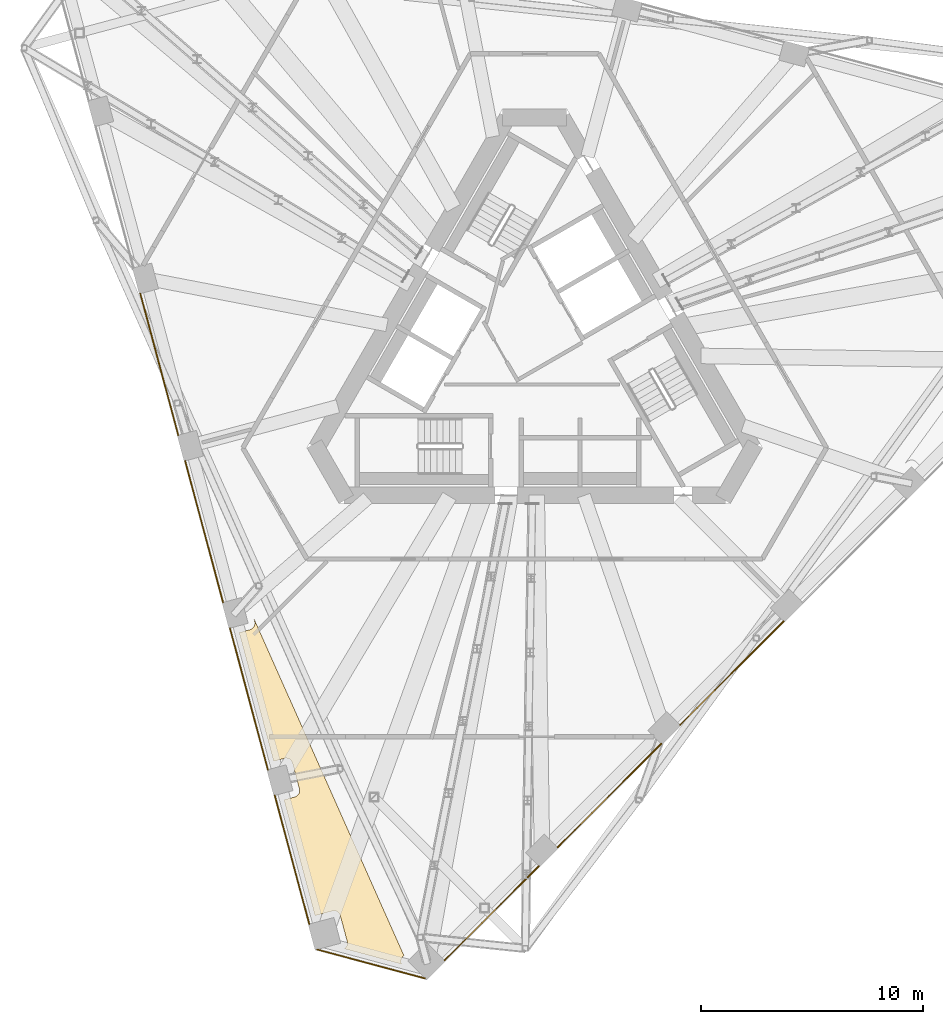
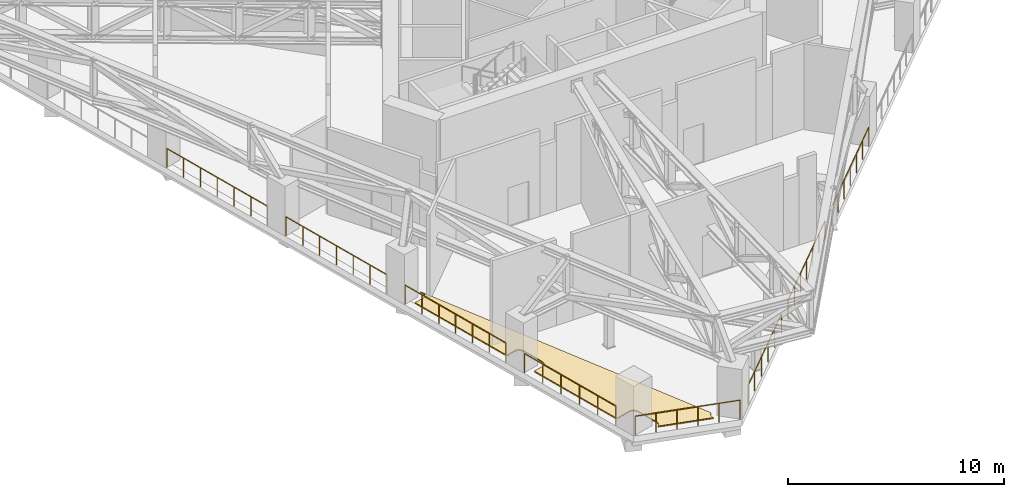
# One storey, part 18 of 22: 8 railings, 2 coverings.
"""IFC4 building model written with IfcOpenShell, lengths in metres."""

from ifc_helpers import new_model, si_unit, direction, frame, origin, origin_2d, place, context, subcontext, project, spatial, polyline, circle, outline, extrude, material, layer, layer_set, type_object, element, save


model = new_model("IFC4")

# Units and contexts
model_context = context("Model", 3, precision=1e-05, world=origin(), true_north=direction((0.0, 1.0)))
body_context = subcontext(model_context, "Body", "Model", "MODEL_VIEW")
ifc_project = project(units=[si_unit("LENGTHUNIT", "METRE"), si_unit("AREAUNIT", "SQUARE_METRE"), si_unit("VOLUMEUNIT", "CUBIC_METRE"), si_unit("PLANEANGLEUNIT", "RADIAN"), si_unit("MASSUNIT", "GRAM", prefix="KILO")], contexts=[model_context])

# Site, building, storey
site_placement = place(None, origin())
site = spatial("IfcSite", under=ifc_project, at=site_placement, CompositionType="ELEMENT")
building_placement = place(site_placement, origin())
building = spatial("IfcBuilding", under=site, at=building_placement, Name="Tramontana Tower", CompositionType="ELEMENT")
storey_placement = place(building_placement, frame((0.0, 0.0, 232.0)))
storey = spatial("IfcBuildingStorey", under=building, at=storey_placement, Name="L54", CompositionType="ELEMENT", Elevation=232.0)

# Railings
ifc_material_1 = material(Name="Stainless steel rail and posts", Category="steel")
railing_type = type_object("IfcRailingType", Name="GD2 Terrace guard 1100", PredefinedType="GUARDRAIL", material=ifc_material_1)
railing_1_placement = place(storey_placement, frame((-17.75146484375, 2.69140625, 0.0)))
element("IfcRailing", 1, at=railing_1_placement, inside=storey, type_object=railing_type, Name="Edge guard L54 4", PredefinedType="GUARDRAIL", context=body_context, shape_type="SweptSolid", body=[
    extrude(circle(Radius=0.02392578125, at=origin_2d()), frame((0.0, 0.0, 1.076171875), z_axis=(0.258835402268, -0.965921443251, 0.0), x_axis=(0.965921443251, 0.258835402268, 0.0)), (0.0, 0.0, 1.0), 6.593994140625),
    extrude(circle(Radius=0.02099609375, at=origin_2d()), origin(), (0.0, 0.0, 1.0), 1.052001953125),
    extrude(circle(Radius=0.02099609375, at=origin_2d()), frame((0.284423828125, -1.0615234375, 0.0)), (0.0, 0.0, 1.0), 1.052001953125),
    extrude(circle(Radius=0.02099609375, at=origin_2d()), frame((0.56884765625, -2.123046875, 0.0)), (0.0, 0.0, 1.0), 1.052001953125),
    extrude(circle(Radius=0.02099609375, at=origin_2d()), frame((0.853515625, -3.1845703125, 0.0)), (0.0, 0.0, 1.0), 1.052001953125),
    extrude(circle(Radius=0.02099609375, at=origin_2d()), frame((1.137939453125, -4.246337890625, 0.0)), (0.0, 0.0, 1.0), 1.052001953125),
    extrude(circle(Radius=0.02099609375, at=origin_2d()), frame((1.42236328125, -5.307861328125, 0.0)), (0.0, 0.0, 1.0), 1.052001953125),
    extrude(circle(Radius=0.02099609375, at=origin_2d()), frame((1.706787109375, -6.369384765625, 0.0)), (0.0, 0.0, 1.0), 1.052001953125),
])
railing_2_placement = place(storey_placement, frame((-15.734130859375, -4.837158203125, 0.0)))
element("IfcRailing", 2, at=railing_2_placement, inside=storey, type_object=railing_type, Name="Edge guard L54 6", PredefinedType="GUARDRAIL", context=body_context, shape_type="SweptSolid", body=[
    extrude(circle(Radius=0.02392578125, at=origin_2d()), frame((0.0, 0.0, 1.076171875), z_axis=(0.25880085814, -0.965930699287, 0.0), x_axis=(0.965930699287, 0.25880085814, 0.0)), (0.0, 0.0, 1.0), 6.593994140625),
    extrude(circle(Radius=0.02099609375, at=origin_2d()), origin(), (0.0, 0.0, 1.0), 1.052001953125),
    extrude(circle(Radius=0.02099609375, at=origin_2d()), frame((0.284423828125, -1.0615234375, 0.0)), (0.0, 0.0, 1.0), 1.052001953125),
    extrude(circle(Radius=0.02099609375, at=origin_2d()), frame((0.56884765625, -2.123046875, 0.0)), (0.0, 0.0, 1.0), 1.052001953125),
    extrude(circle(Radius=0.02099609375, at=origin_2d()), frame((0.853271484375, -3.1845703125, 0.0)), (0.0, 0.0, 1.0), 1.052001953125),
    extrude(circle(Radius=0.02099609375, at=origin_2d()), frame((1.1376953125, -4.246337890625, 0.0)), (0.0, 0.0, 1.0), 1.052001953125),
    extrude(circle(Radius=0.02099609375, at=origin_2d()), frame((1.422119140625, -5.307861328125, 0.0)), (0.0, 0.0, 1.0), 1.052001953125),
    extrude(circle(Radius=0.02099609375, at=origin_2d()), frame((1.70654296875, -6.369384765625, 0.0)), (0.0, 0.0, 1.0), 1.052001953125),
])
railing_3_placement = place(storey_placement, frame((-13.716796875, -12.36572265625, 0.0)))
element("IfcRailing", 3, at=railing_3_placement, inside=storey, type_object=railing_type, Name="Edge guard L54 7", PredefinedType="GUARDRAIL", context=body_context, shape_type="SweptSolid", body=[
    extrude(circle(Radius=0.02392578125, at=origin_2d()), frame((0.0, 0.0, 1.076171875), z_axis=(0.258791602952, -0.965933178973, 0.0), x_axis=(0.965933178973, 0.258791602952, 0.0)), (0.0, 0.0, 1.0), 6.59423828125),
    extrude(circle(Radius=0.02099609375, at=origin_2d()), origin(), (0.0, 0.0, 1.0), 1.052001953125),
    extrude(circle(Radius=0.02099609375, at=origin_2d()), frame((0.284423828125, -1.0615234375, 0.0)), (0.0, 0.0, 1.0), 1.052001953125),
    extrude(circle(Radius=0.02099609375, at=origin_2d()), frame((0.56884765625, -2.123291015625, 0.0)), (0.0, 0.0, 1.0), 1.052001953125),
    extrude(circle(Radius=0.02099609375, at=origin_2d()), frame((0.853271484375, -3.184814453125, 0.0)), (0.0, 0.0, 1.0), 1.052001953125),
    extrude(circle(Radius=0.02099609375, at=origin_2d()), frame((1.1376953125, -4.246337890625, 0.0)), (0.0, 0.0, 1.0), 1.052001953125),
    extrude(circle(Radius=0.02099609375, at=origin_2d()), frame((1.422119140625, -5.30810546875, 0.0)), (0.0, 0.0, 1.0), 1.052001953125),
    extrude(circle(Radius=0.02099609375, at=origin_2d()), frame((1.70654296875, -6.36962890625, 0.0)), (0.0, 0.0, 1.0), 1.052001953125),
])
railing_4_placement = place(storey_placement, frame((-11.69970703125, -19.89453125, 0.0)))
element("IfcRailing", 4, at=railing_4_placement, inside=storey, type_object=railing_type, Name="Edge guard L54 8", PredefinedType="GUARDRAIL", context=body_context, shape_type="SweptSolid", body=[
    extrude(circle(Radius=0.02392578125, at=origin_2d()), frame((0.0, 0.0, 1.076171875), z_axis=(0.258841272413, -0.965919870225, 0.0), x_axis=(0.965919870225, 0.258841272413, 0.0)), (0.0, 0.0, 1.0), 5.994140625),
    extrude(circle(Radius=0.02099609375, at=origin_2d()), origin(), (0.0, 0.0, 1.0), 1.052001953125),
    extrude(circle(Radius=0.02099609375, at=origin_2d()), frame((0.310302734375, -1.157958984375, 0.0)), (0.0, 0.0, 1.0), 1.052001953125),
    extrude(circle(Radius=0.02099609375, at=origin_2d()), frame((0.62060546875, -2.31591796875, 0.0)), (0.0, 0.0, 1.0), 1.052001953125),
    extrude(circle(Radius=0.02099609375, at=origin_2d()), frame((0.930908203125, -3.473876953125, 0.0)), (0.0, 0.0, 1.0), 1.052001953125),
    extrude(circle(Radius=0.02099609375, at=origin_2d()), frame((1.2412109375, -4.6318359375, 0.0)), (0.0, 0.0, 1.0), 1.052001953125),
    extrude(circle(Radius=0.02099609375, at=origin_2d()), frame((1.551513671875, -5.789794921875, 0.0)), (0.0, 0.0, 1.0), 1.052001953125),
])
railing_5_placement = place(storey_placement, frame((-9.789306640625, -26.83056640625, 0.0)))
element("IfcRailing", 5, at=railing_5_placement, inside=storey, type_object=railing_type, Name="Edge guard L54 10", PredefinedType="GUARDRAIL", context=body_context, shape_type="SweptSolid", body=[
    extrude(circle(Radius=0.02392578125, at=origin_2d()), frame((0.0, 0.0, 1.076171875), z_axis=(0.96592527099, -0.258821117497, 0.0), x_axis=(0.258821117497, 0.96592527099, 0.0)), (0.0, 0.0, 1.0), 5.02294921875),
    extrude(circle(Radius=0.02099609375, at=origin_2d()), origin(), (0.0, 0.0, 1.0), 1.052001953125),
    extrude(circle(Radius=0.02099609375, at=origin_2d()), frame((0.970458984375, -0.260009765625, 0.0)), (0.0, 0.0, 1.0), 1.052001953125),
    extrude(circle(Radius=0.02099609375, at=origin_2d()), frame((1.940673828125, -0.52001953125, 0.0)), (0.0, 0.0, 1.0), 1.052001953125),
    extrude(circle(Radius=0.02099609375, at=origin_2d()), frame((2.9111328125, -0.780029296875, 0.0)), (0.0, 0.0, 1.0), 1.052001953125),
    extrude(circle(Radius=0.02099609375, at=origin_2d()), frame((3.88134765625, -1.0400390625, 0.0)), (0.0, 0.0, 1.0), 1.052001953125),
    extrude(circle(Radius=0.02099609375, at=origin_2d()), frame((4.851806640625, -1.300048828125, 0.0)), (0.0, 0.0, 1.0), 1.052001953125),
])
railing_6_placement = place(storey_placement, frame((-4.0537109375, -27.3173828125, 0.0)))
element("IfcRailing", 6, at=railing_6_placement, inside=storey, type_object=railing_type, Name="Edge guard L54 11", PredefinedType="GUARDRAIL", context=body_context, shape_type="SweptSolid", body=[
    extrude(circle(Radius=0.02392578125, at=origin_2d()), frame((0.0, 0.0, 1.076171875), z_axis=(0.707127145112, 0.707086416674, 0.0), x_axis=(-0.707086416674, 0.707127145112, 0.0)), (0.0, 0.0, 1.0), 5.994384765625),
    extrude(circle(Radius=0.02099609375, at=origin_2d()), origin(), (0.0, 0.0, 1.0), 1.052001953125),
    extrude(circle(Radius=0.02099609375, at=origin_2d()), frame((0.84765625, 0.84765625, 0.0)), (0.0, 0.0, 1.0), 1.052001953125),
    extrude(circle(Radius=0.02099609375, at=origin_2d()), frame((1.695556640625, 1.6953125, 0.0)), (0.0, 0.0, 1.0), 1.052001953125),
    extrude(circle(Radius=0.02099609375, at=origin_2d()), frame((2.543212890625, 2.543212890625, 0.0)), (0.0, 0.0, 1.0), 1.052001953125),
    extrude(circle(Radius=0.02099609375, at=origin_2d()), frame((3.39111328125, 3.390869140625, 0.0)), (0.0, 0.0, 1.0), 1.052001953125),
    extrude(circle(Radius=0.02099609375, at=origin_2d()), frame((4.23876953125, 4.238525390625, 0.0)), (0.0, 0.0, 1.0), 1.052001953125),
])
railing_7_placement = place(storey_placement, frame((1.033447265625, -22.230224609375, 0.0)))
element("IfcRailing", 7, at=railing_7_placement, inside=storey, type_object=railing_type, Name="Edge guard L54 13", PredefinedType="GUARDRAIL", context=body_context, shape_type="SweptSolid", body=[
    extrude(circle(Radius=0.02392578125, at=origin_2d()), frame((0.0, 0.0, 1.076171875), z_axis=(0.707125293047, 0.707088268842, 0.0), x_axis=(-0.707088268842, 0.707125293047, 0.0)), (0.0, 0.0, 1.0), 6.593994140625),
    extrude(circle(Radius=0.02099609375, at=origin_2d()), origin(), (0.0, 0.0, 1.0), 1.052001953125),
    extrude(circle(Radius=0.02099609375, at=origin_2d()), frame((0.777099609375, 0.777099609375, 0.0)), (0.0, 0.0, 1.0), 1.052001953125),
    extrude(circle(Radius=0.02099609375, at=origin_2d()), frame((1.55419921875, 1.55419921875, 0.0)), (0.0, 0.0, 1.0), 1.052001953125),
    extrude(circle(Radius=0.02099609375, at=origin_2d()), frame((2.33154296875, 2.331298828125, 0.0)), (0.0, 0.0, 1.0), 1.052001953125),
    extrude(circle(Radius=0.02099609375, at=origin_2d()), frame((3.108642578125, 3.1083984375, 0.0)), (0.0, 0.0, 1.0), 1.052001953125),
    extrude(circle(Radius=0.02099609375, at=origin_2d()), frame((3.8857421875, 3.885498046875, 0.0)), (0.0, 0.0, 1.0), 1.052001953125),
    extrude(circle(Radius=0.02099609375, at=origin_2d()), frame((4.662841796875, 4.66259765625, 0.0)), (0.0, 0.0, 1.0), 1.052001953125),
])
railing_8_placement = place(storey_placement, frame((6.544921875, -16.718994140625, 0.0)))
element("IfcRailing", 8, at=railing_8_placement, inside=storey, type_object=railing_type, Name="Edge guard L54 15", PredefinedType="GUARDRAIL", context=body_context, shape_type="SweptSolid", body=[
    extrude(circle(Radius=0.02392578125, at=origin_2d()), frame((0.0, 0.0, 1.076171875), z_axis=(0.707106781187, 0.707106781187, 0.0), x_axis=(-0.707106781187, 0.707106781187, 0.0)), (0.0, 0.0, 1.0), 6.59423828125),
    extrude(circle(Radius=0.02099609375, at=origin_2d()), origin(), (0.0, 0.0, 1.0), 1.052001953125),
    extrude(circle(Radius=0.02099609375, at=origin_2d()), frame((0.777099609375, 0.777099609375, 0.0)), (0.0, 0.0, 1.0), 1.052001953125),
    extrude(circle(Radius=0.02099609375, at=origin_2d()), frame((1.55419921875, 1.55419921875, 0.0)), (0.0, 0.0, 1.0), 1.052001953125),
    extrude(circle(Radius=0.02099609375, at=origin_2d()), frame((2.33154296875, 2.33154296875, 0.0)), (0.0, 0.0, 1.0), 1.052001953125),
    extrude(circle(Radius=0.02099609375, at=origin_2d()), frame((3.108642578125, 3.108642578125, 0.0)), (0.0, 0.0, 1.0), 1.052001953125),
    extrude(circle(Radius=0.02099609375, at=origin_2d()), frame((3.8857421875, 3.8857421875, 0.0)), (0.0, 0.0, 1.0), 1.052001953125),
    extrude(circle(Radius=0.02099609375, at=origin_2d()), frame((4.662841796875, 4.662841796875, 0.0)), (0.0, 0.0, 1.0), 1.052001953125),
])

# Coverings
ifc_material_2 = material(Name="Limestone paving 60", Category="masonry")
ifc_layer_1 = layer(ifc_material_2, 0.06005859375)
ifc_layer_set_1 = layer_set([ifc_layer_1], Name="PV1 Terrace paving 60")
covering_type_1 = type_object("IfcCoveringType", Name="PV1 Terrace paving 60", PredefinedType="FLOORING", material=ifc_layer_set_1)
covering_1_placement = place(storey_placement, frame((0.0, 0.0, 0.010009765625)))
element("IfcCovering", 9, at=covering_1_placement, inside=storey, type_object=covering_type_1, Name="Terrace paving L54 2", PredefinedType="FLOORING", context=body_context, shape_type="SweptSolid", body=[
    extrude(outline(polyline([(-8.56298828125, -26.796875), (-8.544189453125, -26.783935546875), (-8.521728515625, -26.764892578125), (-8.501220703125, -26.74365234375), (-8.48291015625, -26.720703125), (-8.467041015625, -26.69580078125), (-8.45361328125, -26.669677734375), (-8.442626953125, -26.642333984375), (-8.4345703125, -26.614013671875), (-8.429443359375, -26.5849609375), (-8.427001953125, -26.5556640625), (-8.427490234375, -26.5263671875), (-8.430908203125, -26.4970703125), (-8.43701171875, -26.46826171875), (-8.74755859375, -25.30908203125), (-8.756591796875, -25.281005859375), (-8.768310546875, -25.254150390625), (-8.78271484375, -25.228271484375), (-8.79931640625, -25.2041015625), (-8.818359375, -25.181640625), (-8.839599609375, -25.1611328125), (-8.862548828125, -25.142822265625), (-8.887451171875, -25.126953125), (-8.91357421875, -25.113525390625), (-8.94091796875, -25.102783203125), (-8.96923828125, -25.094482421875), (-8.998291015625, -25.08935546875), (-9.027587890625, -25.0869140625), (-9.056884765625, -25.08740234375), (-9.086181640625, -25.0908203125), (-9.114990234375, -25.096923828125), (-9.8876953125, -25.303955078125), (-11.283935546875, -20.093505859375), (-10.801025390625, -19.964111328125), (-10.77294921875, -19.955078125), (-10.745849609375, -19.943603515625), (-10.72021484375, -19.92919921875), (-10.696044921875, -19.912353515625), (-10.673583984375, -19.893310546875), (-10.653076171875, -19.872314453125), (-10.634765625, -19.84912109375), (-10.61865234375, -19.824462890625), (-10.605224609375, -19.79833984375), (-10.594482421875, -19.770751953125), (-10.58642578125, -19.742431640625), (-10.5810546875, -19.713623046875), (-10.57861328125, -19.684326171875), (-10.5791015625, -19.65478515625), (-10.58251953125, -19.62548828125), (-10.5888671875, -19.5966796875), (-10.8994140625, -18.437744140625), (-10.908447265625, -18.40966796875), (-10.920166015625, -18.382568359375), (-10.934326171875, -18.35693359375), (-10.951171875, -18.332763671875), (-10.97021484375, -18.310302734375), (-10.991455078125, -18.289794921875), (-11.014404296875, -18.271484375), (-11.0390625, -18.255615234375), (-11.0654296875, -18.241943359375), (-11.0927734375, -18.231201171875), (-11.12109375, -18.22314453125), (-11.14990234375, -18.2177734375), (-11.179443359375, -18.215576171875), (-11.208740234375, -18.216064453125), (-11.238037109375, -18.21923828125), (-11.266845703125, -18.2255859375), (-11.749755859375, -18.35498046875), (-13.30126953125, -12.56494140625), (-12.818115234375, -12.435546875), (-12.790283203125, -12.426513671875), (-12.76318359375, -12.414794921875), (-12.737548828125, -12.400634765625), (-12.713134765625, -12.3837890625), (-12.690673828125, -12.36474609375), (-12.67041015625, -12.343505859375), (-12.652099609375, -12.320556640625), (-12.635986328125, -12.2958984375), (-12.62255859375, -12.26953125), (-12.61181640625, -12.2421875), (-12.603759765625, -12.2138671875), (-12.598388671875, -12.18505859375), (-12.595947265625, -12.155517578125), (-12.596435546875, -12.126220703125), (-12.599853515625, -12.096923828125), (-12.60595703125, -12.068115234375), (-12.64697265625, -11.9150390625), (-5.886474609375, -27.099609375), (-5.927490234375, -27.140625), (-5.947265625, -27.162353515625), (-5.96484375, -27.18603515625), (-5.97998046875, -27.21142578125), (-5.992431640625, -27.238037109375), (-6.00244140625, -27.265625), (-6.009521484375, -27.294189453125), (-6.013916015625, -27.323486328125), (-6.015380859375, -27.352783203125), (-6.013916015625, -27.382080078125), (-6.009521484375, -27.411376953125), (-6.00244140625, -27.43994140625), (-5.992431640625, -27.467529296875), (-5.982666015625, -27.48828125), (-8.56298828125, -26.796875)])), origin(), (0.0, 0.0, 1.0), 0.06005859375),
])
ifc_material_3 = material(Name="Bituminous waterproofing membrane")
ifc_layer_2 = layer(ifc_material_3, 0.010009765625)
ifc_layer_set_2 = layer_set([ifc_layer_2], Name="WP1 Terrace waterproofing membrane 10")
covering_type_2 = type_object("IfcCoveringType", Name="WP1 Terrace waterproofing membrane 10", PredefinedType="MEMBRANE", material=ifc_layer_set_2)
covering_2_placement = place(storey_placement, origin())
element("IfcCovering", 10, at=covering_2_placement, inside=storey, type_object=covering_type_2, Name="Terrace membrane L54 2", PredefinedType="MEMBRANE", context=body_context, shape_type="SweptSolid", body=[
    extrude(outline(polyline([(-8.56298828125, -26.796875), (-8.544189453125, -26.783935546875), (-8.521728515625, -26.764892578125), (-8.501220703125, -26.74365234375), (-8.48291015625, -26.720703125), (-8.467041015625, -26.69580078125), (-8.45361328125, -26.669677734375), (-8.442626953125, -26.642333984375), (-8.4345703125, -26.614013671875), (-8.429443359375, -26.5849609375), (-8.427001953125, -26.5556640625), (-8.427490234375, -26.5263671875), (-8.430908203125, -26.4970703125), (-8.43701171875, -26.46826171875), (-8.74755859375, -25.30908203125), (-8.756591796875, -25.281005859375), (-8.768310546875, -25.254150390625), (-8.78271484375, -25.228271484375), (-8.79931640625, -25.2041015625), (-8.818359375, -25.181640625), (-8.839599609375, -25.1611328125), (-8.862548828125, -25.142822265625), (-8.887451171875, -25.126953125), (-8.91357421875, -25.113525390625), (-8.94091796875, -25.102783203125), (-8.96923828125, -25.094482421875), (-8.998291015625, -25.08935546875), (-9.027587890625, -25.0869140625), (-9.056884765625, -25.08740234375), (-9.086181640625, -25.0908203125), (-9.114990234375, -25.096923828125), (-9.8876953125, -25.303955078125), (-11.283935546875, -20.093505859375), (-10.801025390625, -19.964111328125), (-10.77294921875, -19.955078125), (-10.745849609375, -19.943603515625), (-10.72021484375, -19.92919921875), (-10.696044921875, -19.912353515625), (-10.673583984375, -19.893310546875), (-10.653076171875, -19.872314453125), (-10.634765625, -19.84912109375), (-10.61865234375, -19.824462890625), (-10.605224609375, -19.79833984375), (-10.594482421875, -19.770751953125), (-10.58642578125, -19.742431640625), (-10.5810546875, -19.713623046875), (-10.57861328125, -19.684326171875), (-10.5791015625, -19.65478515625), (-10.58251953125, -19.62548828125), (-10.5888671875, -19.5966796875), (-10.8994140625, -18.437744140625), (-10.908447265625, -18.40966796875), (-10.920166015625, -18.382568359375), (-10.934326171875, -18.35693359375), (-10.951171875, -18.332763671875), (-10.97021484375, -18.310302734375), (-10.991455078125, -18.289794921875), (-11.014404296875, -18.271484375), (-11.0390625, -18.255615234375), (-11.0654296875, -18.241943359375), (-11.0927734375, -18.231201171875), (-11.12109375, -18.22314453125), (-11.14990234375, -18.2177734375), (-11.179443359375, -18.215576171875), (-11.208740234375, -18.216064453125), (-11.238037109375, -18.21923828125), (-11.266845703125, -18.2255859375), (-11.749755859375, -18.35498046875), (-13.30126953125, -12.56494140625), (-12.818115234375, -12.435546875), (-12.790283203125, -12.426513671875), (-12.76318359375, -12.414794921875), (-12.737548828125, -12.400634765625), (-12.713134765625, -12.3837890625), (-12.690673828125, -12.36474609375), (-12.67041015625, -12.343505859375), (-12.652099609375, -12.320556640625), (-12.635986328125, -12.2958984375), (-12.62255859375, -12.26953125), (-12.61181640625, -12.2421875), (-12.603759765625, -12.2138671875), (-12.598388671875, -12.18505859375), (-12.595947265625, -12.155517578125), (-12.596435546875, -12.126220703125), (-12.599853515625, -12.096923828125), (-12.60595703125, -12.068115234375), (-12.64697265625, -11.9150390625), (-5.886474609375, -27.099609375), (-5.927490234375, -27.140625), (-5.947265625, -27.162353515625), (-5.96484375, -27.18603515625), (-5.97998046875, -27.21142578125), (-5.992431640625, -27.238037109375), (-6.00244140625, -27.265625), (-6.009521484375, -27.294189453125), (-6.013916015625, -27.323486328125), (-6.015380859375, -27.352783203125), (-6.013916015625, -27.382080078125), (-6.009521484375, -27.411376953125), (-6.00244140625, -27.43994140625), (-5.992431640625, -27.467529296875), (-5.982666015625, -27.48828125), (-8.56298828125, -26.796875)])), origin(), (0.0, 0.0, 1.0), 0.010009765625),
])

save(model, "model.ifc")
